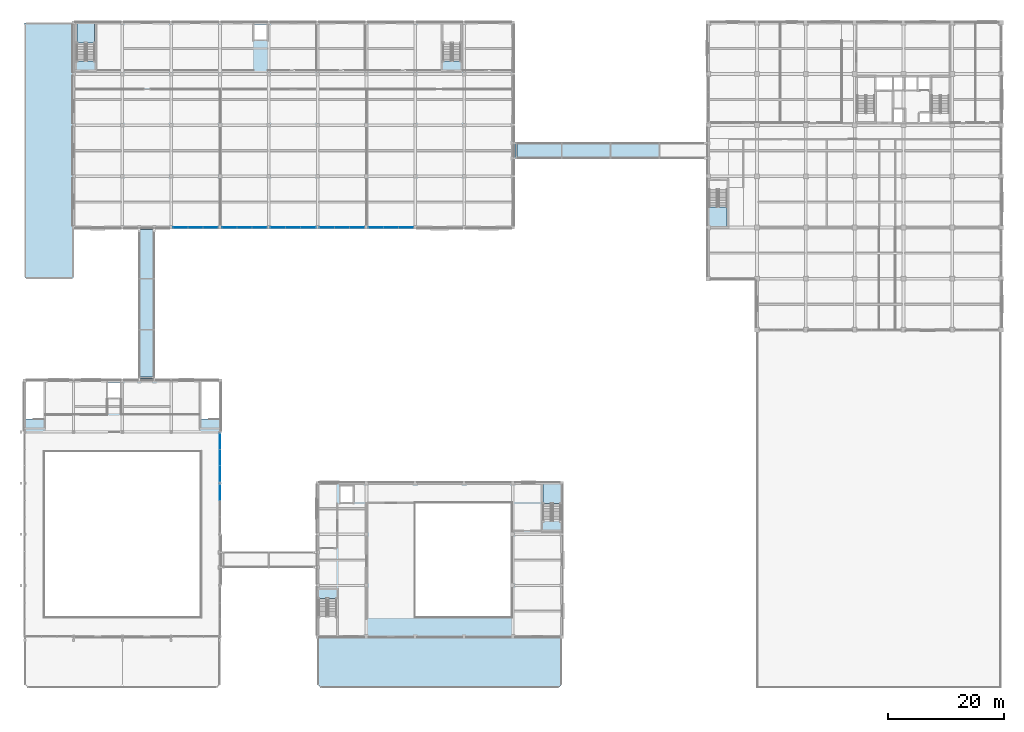
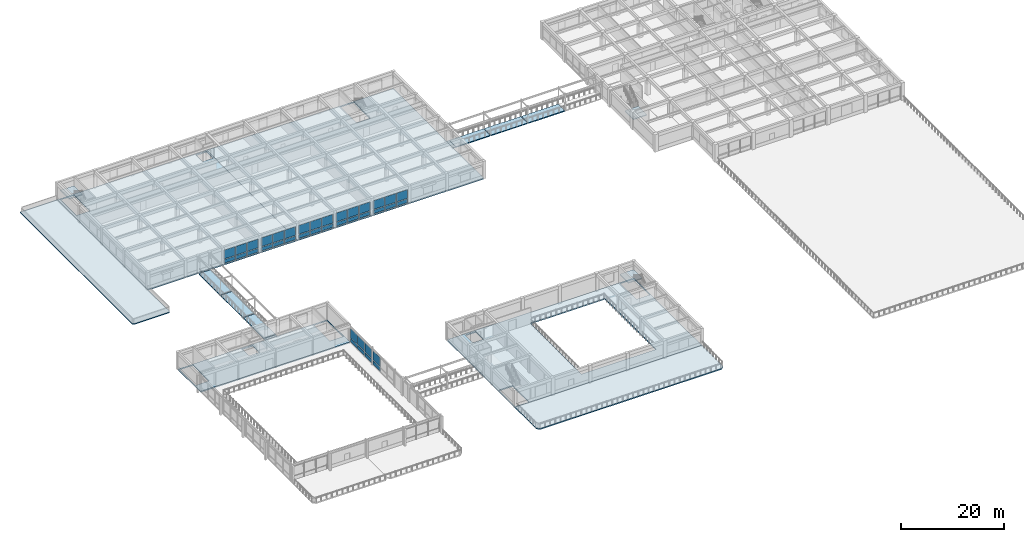
# One storey, part 30 of 57: 38 plates, 17 slabs, 10 elements without a shape of their own.
"""IFC4 building model written with IfcOpenShell, lengths in metres."""

from ifc_helpers import new_model, si_unit, direction, frame, origin, origin_2d, place, context, subcontext, project, spatial, polyline, rectangle, outline, extrude, material, layer, layer_set, type_object, element, aggregate, save


model = new_model("IFC4")

# Units and contexts
model_context = context("Model", 3, precision=1e-05, world=origin(), true_north=direction((0.0, 1.0)))
body_context = subcontext(model_context, "Body", "Model", "MODEL_VIEW")
ifc_project = project(units=[si_unit("LENGTHUNIT", "METRE"), si_unit("AREAUNIT", "SQUARE_METRE"), si_unit("VOLUMEUNIT", "CUBIC_METRE"), si_unit("PLANEANGLEUNIT", "RADIAN"), si_unit("MASSUNIT", "GRAM", prefix="KILO")], contexts=[model_context])

# Site, building, storey
site_placement = place(None, origin())
site = spatial("IfcSite", under=ifc_project, at=site_placement, CompositionType="ELEMENT")
building_placement = place(site_placement, origin())
building = spatial("IfcBuilding", under=site, at=building_placement, Name="Kemercrest Conservatory and Botanical Centre", CompositionType="ELEMENT")
storey_placement = place(building_placement, frame((0.0, 0.0, 4.800048828125)))
storey = spatial("IfcBuildingStorey", under=building, at=storey_placement, Name="L01", CompositionType="ELEMENT", Elevation=4.800048828125)

# Curtain wall, plates
ifc_material_1 = material(Name="Thermally broken aluminium and triple low-e glazing", Category="aluminium")
curtain_wall_type_1 = type_object("IfcCurtainWallType", Name="CW-03", PredefinedType="USERDEFINED", material=ifc_material_1)
curtain_wall_1_placement = place(storey_placement, origin())
curtain_wall_1 = element("IfcCurtainWall", 1, at=curtain_wall_1_placement, inside=storey, type_object=curtain_wall_type_1, Name="Unitised curtain wall CW-03 (CW:L01:V3-032)", ObjectType="UNITISED CURTAIN WALL", PredefinedType="USERDEFINED")
ifc_material_2 = material(Name="Triple low-e argon insulated glazing unit", Category="glass")
ifc_layer_1 = layer(ifc_material_2, 0.035888671875)
ifc_layer_set_1 = layer_set([ifc_layer_1], Name="Triple low-e argon insulated glazing unit")
plate_type_1 = type_object("IfcPlateType", Name="CW-PNL036", PredefinedType="CURTAIN_PANEL", material=ifc_layer_set_1)
plate_1_placement = place(storey_placement, frame((34.81298828125, 87.199951171875, 0.179931640625), z_axis=(0.0, 0.0, 1.0), x_axis=(1.0, 0.0, 0.0)))
plate_1 = element("IfcPlate", 2, at=plate_1_placement, type_object=plate_type_1, Name="CW-03 panel 1.1", PredefinedType="CURTAIN_PANEL", context=body_context, shape_type="SweptSolid", body=[
    extrude(rectangle(XDim=2.505859375, YDim=0.035888671875, at=origin_2d()), origin(), (0.0, 0.0, 1.0), 0.85009765625),
])
plate_2_placement = place(storey_placement, frame((34.81298828125, 87.199951171875, 1.2099609375), z_axis=(0.0, 0.0, 1.0), x_axis=(1.0, 0.0, 0.0)))
plate_2 = element("IfcPlate", 3, at=plate_2_placement, type_object=plate_type_1, Name="CW-03 panel 1.2", PredefinedType="CURTAIN_PANEL", context=body_context, shape_type="SweptSolid", body=[
    extrude(rectangle(XDim=2.505859375, YDim=0.035888671875, at=origin_2d()), origin(), (0.0, 0.0, 1.0), 2.06494140625),
])
plate_3_placement = place(storey_placement, frame((37.39990234375, 87.199951171875, 0.179931640625), z_axis=(0.0, 0.0, 1.0), x_axis=(1.0, 0.0, 0.0)))
plate_3 = element("IfcPlate", 4, at=plate_3_placement, type_object=plate_type_1, Name="CW-03 panel 2.1", PredefinedType="CURTAIN_PANEL", context=body_context, shape_type="SweptSolid", body=[
    extrude(rectangle(XDim=2.538330078125, YDim=0.035888671875, at=origin_2d()), origin(), (0.0, 0.0, 1.0), 0.85009765625),
])
plate_4_placement = place(storey_placement, frame((37.39990234375, 87.199951171875, 1.2099609375), z_axis=(0.0, 0.0, 1.0), x_axis=(1.0, 0.0, 0.0)))
plate_4 = element("IfcPlate", 5, at=plate_4_placement, type_object=plate_type_1, Name="CW-03 panel 2.2", PredefinedType="CURTAIN_PANEL", context=body_context, shape_type="SweptSolid", body=[
    extrude(rectangle(XDim=2.538330078125, YDim=0.035888671875, at=origin_2d()), origin(), (0.0, 0.0, 1.0), 2.06494140625),
])
plate_5_placement = place(storey_placement, frame((39.987060546875, 87.199951171875, 0.179931640625), z_axis=(0.0, 0.0, 1.0), x_axis=(1.0, 0.0, 0.0)))
plate_5 = element("IfcPlate", 6, at=plate_5_placement, type_object=plate_type_1, Name="CW-03 panel 3.1", PredefinedType="CURTAIN_PANEL", context=body_context, shape_type="SweptSolid", body=[
    extrude(rectangle(XDim=2.505859375, YDim=0.035888671875, at=origin_2d()), origin(), (0.0, 0.0, 1.0), 0.85009765625),
])
plate_6_placement = place(storey_placement, frame((39.987060546875, 87.199951171875, 1.2099609375), z_axis=(0.0, 0.0, 1.0), x_axis=(1.0, 0.0, 0.0)))
plate_6 = element("IfcPlate", 7, at=plate_6_placement, type_object=plate_type_1, Name="CW-03 panel 3.2", PredefinedType="CURTAIN_PANEL", context=body_context, shape_type="SweptSolid", body=[
    extrude(rectangle(XDim=2.505859375, YDim=0.035888671875, at=origin_2d()), origin(), (0.0, 0.0, 1.0), 2.06494140625),
])
aggregate(curtain_wall_1, [plate_1, plate_2, plate_3, plate_4, plate_5, plate_6])

curtain_wall_type_2 = type_object("IfcCurtainWallType", Name="CW-04", PredefinedType="USERDEFINED", material=ifc_material_1)
curtain_wall_2_placement = place(storey_placement, origin())
curtain_wall_2 = element("IfcCurtainWall", 8, at=curtain_wall_2_placement, inside=storey, type_object=curtain_wall_type_2, Name="Unitised curtain wall CW-04 (CW:L01:V3-033)", ObjectType="UNITISED CURTAIN WALL", PredefinedType="USERDEFINED")
plate_7_placement = place(storey_placement, frame((43.212890625, 87.199951171875, 0.179931640625), z_axis=(0.0, 0.0, 1.0), x_axis=(1.0, 0.0, 0.0)))
plate_7 = element("IfcPlate", 9, at=plate_7_placement, type_object=plate_type_1, Name="CW-04 panel 1.1", PredefinedType="CURTAIN_PANEL", context=body_context, shape_type="SweptSolid", body=[
    extrude(rectangle(XDim=2.505859375, YDim=0.035888671875, at=origin_2d()), origin(), (0.0, 0.0, 1.0), 0.85009765625),
])
plate_8_placement = place(storey_placement, frame((43.212890625, 87.199951171875, 1.2099609375), z_axis=(0.0, 0.0, 1.0), x_axis=(1.0, 0.0, 0.0)))
plate_8 = element("IfcPlate", 10, at=plate_8_placement, type_object=plate_type_1, Name="CW-04 panel 1.2", PredefinedType="CURTAIN_PANEL", context=body_context, shape_type="SweptSolid", body=[
    extrude(rectangle(XDim=2.505859375, YDim=0.035888671875, at=origin_2d()), origin(), (0.0, 0.0, 1.0), 2.06494140625),
])
plate_9_placement = place(storey_placement, frame((45.800048828125, 87.199951171875, 0.179931640625), z_axis=(0.0, 0.0, 1.0), x_axis=(1.0, 0.0, 0.0)))
plate_9 = element("IfcPlate", 11, at=plate_9_placement, type_object=plate_type_1, Name="CW-04 panel 2.1", PredefinedType="CURTAIN_PANEL", context=body_context, shape_type="SweptSolid", body=[
    extrude(rectangle(XDim=2.538330078125, YDim=0.035888671875, at=origin_2d()), origin(), (0.0, 0.0, 1.0), 0.85009765625),
])
plate_10_placement = place(storey_placement, frame((45.800048828125, 87.199951171875, 1.2099609375), z_axis=(0.0, 0.0, 1.0), x_axis=(1.0, 0.0, 0.0)))
plate_10 = element("IfcPlate", 12, at=plate_10_placement, type_object=plate_type_1, Name="CW-04 panel 2.2", PredefinedType="CURTAIN_PANEL", context=body_context, shape_type="SweptSolid", body=[
    extrude(rectangle(XDim=2.538330078125, YDim=0.035888671875, at=origin_2d()), origin(), (0.0, 0.0, 1.0), 2.06494140625),
])
plate_11_placement = place(storey_placement, frame((48.386962890625, 87.199951171875, 0.179931640625), z_axis=(0.0, 0.0, 1.0), x_axis=(1.0, 0.0, 0.0)))
plate_11 = element("IfcPlate", 13, at=plate_11_placement, type_object=plate_type_1, Name="CW-04 panel 3.1", PredefinedType="CURTAIN_PANEL", context=body_context, shape_type="SweptSolid", body=[
    extrude(rectangle(XDim=2.505859375, YDim=0.035888671875, at=origin_2d()), origin(), (0.0, 0.0, 1.0), 0.85009765625),
])
plate_12_placement = place(storey_placement, frame((48.386962890625, 87.199951171875, 1.2099609375), z_axis=(0.0, 0.0, 1.0), x_axis=(1.0, 0.0, 0.0)))
plate_12 = element("IfcPlate", 14, at=plate_12_placement, type_object=plate_type_1, Name="CW-04 panel 3.2", PredefinedType="CURTAIN_PANEL", context=body_context, shape_type="SweptSolid", body=[
    extrude(rectangle(XDim=2.505859375, YDim=0.035888671875, at=origin_2d()), origin(), (0.0, 0.0, 1.0), 2.06494140625),
])
aggregate(curtain_wall_2, [plate_7, plate_8, plate_9, plate_10, plate_11, plate_12])

curtain_wall_type_3 = type_object("IfcCurtainWallType", Name="CW-05", PredefinedType="USERDEFINED", material=ifc_material_1)
curtain_wall_3_placement = place(storey_placement, origin())
curtain_wall_3 = element("IfcCurtainWall", 15, at=curtain_wall_3_placement, inside=storey, type_object=curtain_wall_type_3, Name="Unitised curtain wall CW-05 (CW:L01:V3-034)", ObjectType="UNITISED CURTAIN WALL", PredefinedType="USERDEFINED")
plate_13_placement = place(storey_placement, frame((51.613037109375, 87.199951171875, 0.179931640625), z_axis=(0.0, 0.0, 1.0), x_axis=(1.0, 0.0, 0.0)))
plate_13 = element("IfcPlate", 16, at=plate_13_placement, type_object=plate_type_1, Name="CW-05 panel 1.1", PredefinedType="CURTAIN_PANEL", context=body_context, shape_type="SweptSolid", body=[
    extrude(rectangle(XDim=2.505859375, YDim=0.035888671875, at=origin_2d()), origin(), (0.0, 0.0, 1.0), 0.85009765625),
])
plate_14_placement = place(storey_placement, frame((51.613037109375, 87.199951171875, 1.2099609375), z_axis=(0.0, 0.0, 1.0), x_axis=(1.0, 0.0, 0.0)))
plate_14 = element("IfcPlate", 17, at=plate_14_placement, type_object=plate_type_1, Name="CW-05 panel 1.2", PredefinedType="CURTAIN_PANEL", context=body_context, shape_type="SweptSolid", body=[
    extrude(rectangle(XDim=2.505859375, YDim=0.035888671875, at=origin_2d()), origin(), (0.0, 0.0, 1.0), 2.06494140625),
])
plate_15_placement = place(storey_placement, frame((54.199951171875, 87.199951171875, 0.179931640625), z_axis=(0.0, 0.0, 1.0), x_axis=(1.0, 0.0, 0.0)))
plate_15 = element("IfcPlate", 18, at=plate_15_placement, type_object=plate_type_1, Name="CW-05 panel 2.1", PredefinedType="CURTAIN_PANEL", context=body_context, shape_type="SweptSolid", body=[
    extrude(rectangle(XDim=2.538330078125, YDim=0.035888671875, at=origin_2d()), origin(), (0.0, 0.0, 1.0), 0.85009765625),
])
plate_16_placement = place(storey_placement, frame((54.199951171875, 87.199951171875, 1.2099609375), z_axis=(0.0, 0.0, 1.0), x_axis=(1.0, 0.0, 0.0)))
plate_16 = element("IfcPlate", 19, at=plate_16_placement, type_object=plate_type_1, Name="CW-05 panel 2.2", PredefinedType="CURTAIN_PANEL", context=body_context, shape_type="SweptSolid", body=[
    extrude(rectangle(XDim=2.538330078125, YDim=0.035888671875, at=origin_2d()), origin(), (0.0, 0.0, 1.0), 2.06494140625),
])
plate_17_placement = place(storey_placement, frame((56.787109375, 87.199951171875, 0.179931640625), z_axis=(0.0, 0.0, 1.0), x_axis=(1.0, 0.0, 0.0)))
plate_17 = element("IfcPlate", 20, at=plate_17_placement, type_object=plate_type_1, Name="CW-05 panel 3.1", PredefinedType="CURTAIN_PANEL", context=body_context, shape_type="SweptSolid", body=[
    extrude(rectangle(XDim=2.505859375, YDim=0.035888671875, at=origin_2d()), origin(), (0.0, 0.0, 1.0), 0.85009765625),
])
plate_18_placement = place(storey_placement, frame((56.787109375, 87.199951171875, 1.2099609375), z_axis=(0.0, 0.0, 1.0), x_axis=(1.0, 0.0, 0.0)))
plate_18 = element("IfcPlate", 21, at=plate_18_placement, type_object=plate_type_1, Name="CW-05 panel 3.2", PredefinedType="CURTAIN_PANEL", context=body_context, shape_type="SweptSolid", body=[
    extrude(rectangle(XDim=2.505859375, YDim=0.035888671875, at=origin_2d()), origin(), (0.0, 0.0, 1.0), 2.06494140625),
])
aggregate(curtain_wall_3, [plate_13, plate_14, plate_15, plate_16, plate_17, plate_18])

curtain_wall_type_4 = type_object("IfcCurtainWallType", Name="CW-06", PredefinedType="USERDEFINED", material=ifc_material_1)
curtain_wall_4_placement = place(storey_placement, origin())
curtain_wall_4 = element("IfcCurtainWall", 22, at=curtain_wall_4_placement, inside=storey, type_object=curtain_wall_type_4, Name="Unitised curtain wall CW-06 (CW:L01:V3-035)", ObjectType="UNITISED CURTAIN WALL", PredefinedType="USERDEFINED")
plate_19_placement = place(storey_placement, frame((60.012939453125, 87.199951171875, 0.179931640625), z_axis=(0.0, 0.0, 1.0), x_axis=(1.0, 0.0, 0.0)))
plate_19 = element("IfcPlate", 23, at=plate_19_placement, type_object=plate_type_1, Name="CW-06 panel 1.1", PredefinedType="CURTAIN_PANEL", context=body_context, shape_type="SweptSolid", body=[
    extrude(rectangle(XDim=2.505859375, YDim=0.035888671875, at=origin_2d()), origin(), (0.0, 0.0, 1.0), 0.85009765625),
])
plate_20_placement = place(storey_placement, frame((60.012939453125, 87.199951171875, 1.2099609375), z_axis=(0.0, 0.0, 1.0), x_axis=(1.0, 0.0, 0.0)))
plate_20 = element("IfcPlate", 24, at=plate_20_placement, type_object=plate_type_1, Name="CW-06 panel 1.2", PredefinedType="CURTAIN_PANEL", context=body_context, shape_type="SweptSolid", body=[
    extrude(rectangle(XDim=2.505859375, YDim=0.035888671875, at=origin_2d()), origin(), (0.0, 0.0, 1.0), 2.06494140625),
])
plate_21_placement = place(storey_placement, frame((62.60009765625, 87.199951171875, 0.179931640625), z_axis=(0.0, 0.0, 1.0), x_axis=(1.0, 0.0, 0.0)))
plate_21 = element("IfcPlate", 25, at=plate_21_placement, type_object=plate_type_1, Name="CW-06 panel 2.1", PredefinedType="CURTAIN_PANEL", context=body_context, shape_type="SweptSolid", body=[
    extrude(rectangle(XDim=2.538330078125, YDim=0.035888671875, at=origin_2d()), origin(), (0.0, 0.0, 1.0), 0.85009765625),
])
plate_22_placement = place(storey_placement, frame((62.60009765625, 87.199951171875, 1.2099609375), z_axis=(0.0, 0.0, 1.0), x_axis=(1.0, 0.0, 0.0)))
plate_22 = element("IfcPlate", 26, at=plate_22_placement, type_object=plate_type_1, Name="CW-06 panel 2.2", PredefinedType="CURTAIN_PANEL", context=body_context, shape_type="SweptSolid", body=[
    extrude(rectangle(XDim=2.538330078125, YDim=0.035888671875, at=origin_2d()), origin(), (0.0, 0.0, 1.0), 2.06494140625),
])
plate_23_placement = place(storey_placement, frame((65.18701171875, 87.199951171875, 0.179931640625), z_axis=(0.0, 0.0, 1.0), x_axis=(1.0, 0.0, 0.0)))
plate_23 = element("IfcPlate", 27, at=plate_23_placement, type_object=plate_type_1, Name="CW-06 panel 3.1", PredefinedType="CURTAIN_PANEL", context=body_context, shape_type="SweptSolid", body=[
    extrude(rectangle(XDim=2.505859375, YDim=0.035888671875, at=origin_2d()), origin(), (0.0, 0.0, 1.0), 0.85009765625),
])
plate_24_placement = place(storey_placement, frame((65.18701171875, 87.199951171875, 1.2099609375), z_axis=(0.0, 0.0, 1.0), x_axis=(1.0, 0.0, 0.0)))
plate_24 = element("IfcPlate", 28, at=plate_24_placement, type_object=plate_type_1, Name="CW-06 panel 3.2", PredefinedType="CURTAIN_PANEL", context=body_context, shape_type="SweptSolid", body=[
    extrude(rectangle(XDim=2.505859375, YDim=0.035888671875, at=origin_2d()), origin(), (0.0, 0.0, 1.0), 2.06494140625),
])
aggregate(curtain_wall_4, [plate_19, plate_20, plate_21, plate_22, plate_23, plate_24])

curtain_wall_type_5 = type_object("IfcCurtainWallType", Name="CW-07", PredefinedType="USERDEFINED", material=ifc_material_1)
curtain_wall_5_placement = place(storey_placement, origin())
curtain_wall_5 = element("IfcCurtainWall", 29, at=curtain_wall_5_placement, inside=storey, type_object=curtain_wall_type_5, Name="Unitised curtain wall CW-07 (CW:L01:V3-036)", ObjectType="UNITISED CURTAIN WALL", PredefinedType="USERDEFINED")
plate_25_placement = place(storey_placement, frame((68.412841796875, 87.199951171875, 0.179931640625), z_axis=(0.0, 0.0, 1.0), x_axis=(1.0, 0.0, 0.0)))
plate_25 = element("IfcPlate", 30, at=plate_25_placement, type_object=plate_type_1, Name="CW-07 panel 1.1", PredefinedType="CURTAIN_PANEL", context=body_context, shape_type="SweptSolid", body=[
    extrude(rectangle(XDim=2.505859375, YDim=0.035888671875, at=origin_2d()), origin(), (0.0, 0.0, 1.0), 0.85009765625),
])
plate_26_placement = place(storey_placement, frame((68.412841796875, 87.199951171875, 1.2099609375), z_axis=(0.0, 0.0, 1.0), x_axis=(1.0, 0.0, 0.0)))
plate_26 = element("IfcPlate", 31, at=plate_26_placement, type_object=plate_type_1, Name="CW-07 panel 1.2", PredefinedType="CURTAIN_PANEL", context=body_context, shape_type="SweptSolid", body=[
    extrude(rectangle(XDim=2.505859375, YDim=0.035888671875, at=origin_2d()), origin(), (0.0, 0.0, 1.0), 2.06494140625),
])
plate_27_placement = place(storey_placement, frame((71.0, 87.199951171875, 0.179931640625), z_axis=(0.0, 0.0, 1.0), x_axis=(1.0, 0.0, 0.0)))
plate_27 = element("IfcPlate", 32, at=plate_27_placement, type_object=plate_type_1, Name="CW-07 panel 2.1", PredefinedType="CURTAIN_PANEL", context=body_context, shape_type="SweptSolid", body=[
    extrude(rectangle(XDim=2.538330078125, YDim=0.035888671875, at=origin_2d()), origin(), (0.0, 0.0, 1.0), 0.85009765625),
])
plate_28_placement = place(storey_placement, frame((71.0, 87.199951171875, 1.2099609375), z_axis=(0.0, 0.0, 1.0), x_axis=(1.0, 0.0, 0.0)))
plate_28 = element("IfcPlate", 33, at=plate_28_placement, type_object=plate_type_1, Name="CW-07 panel 2.2", PredefinedType="CURTAIN_PANEL", context=body_context, shape_type="SweptSolid", body=[
    extrude(rectangle(XDim=2.538330078125, YDim=0.035888671875, at=origin_2d()), origin(), (0.0, 0.0, 1.0), 2.06494140625),
])
plate_29_placement = place(storey_placement, frame((73.587158203125, 87.199951171875, 0.179931640625), z_axis=(0.0, 0.0, 1.0), x_axis=(1.0, 0.0, 0.0)))
plate_29 = element("IfcPlate", 34, at=plate_29_placement, type_object=plate_type_1, Name="CW-07 panel 3.1", PredefinedType="CURTAIN_PANEL", context=body_context, shape_type="SweptSolid", body=[
    extrude(rectangle(XDim=2.505859375, YDim=0.035888671875, at=origin_2d()), origin(), (0.0, 0.0, 1.0), 0.85009765625),
])
plate_30_placement = place(storey_placement, frame((73.587158203125, 87.199951171875, 1.2099609375), z_axis=(0.0, 0.0, 1.0), x_axis=(1.0, 0.0, 0.0)))
plate_30 = element("IfcPlate", 35, at=plate_30_placement, type_object=plate_type_1, Name="CW-07 panel 3.2", PredefinedType="CURTAIN_PANEL", context=body_context, shape_type="SweptSolid", body=[
    extrude(rectangle(XDim=2.505859375, YDim=0.035888671875, at=origin_2d()), origin(), (0.0, 0.0, 1.0), 2.06494140625),
])
aggregate(curtain_wall_5, [plate_25, plate_26, plate_27, plate_28, plate_29, plate_30])

curtain_wall_type_6 = type_object("IfcCurtainWallType", Name="CW-12", PredefinedType="USERDEFINED", material=ifc_material_1)
curtain_wall_6_placement = place(storey_placement, origin())
curtain_wall_6 = element("IfcCurtainWall", 36, at=curtain_wall_6_placement, inside=storey, type_object=curtain_wall_type_6, Name="Unitised curtain wall CW-12 (CW:L01:V1-011)", ObjectType="UNITISED CURTAIN WALL", PredefinedType="USERDEFINED")
ifc_material_3 = material(Name="Laminated solar-control conservatory glazing unit", Category="glass")
ifc_layer_2 = layer(ifc_material_3, 0.0419921875)
ifc_layer_set_2 = layer_set([ifc_layer_2], Name="Laminated solar-control conservatory glazing unit")
plate_type_2 = type_object("IfcPlateType", Name="CW-PNL042", PredefinedType="CURTAIN_PANEL", material=ifc_layer_set_2)
plate_31_placement = place(storey_placement, frame((41.60009765625, 41.581298828125, 0.14990234375), z_axis=(0.0, 0.0, 1.0), x_axis=(0.0, 1.0, 0.0)))
plate_31 = element("IfcPlate", 37, at=plate_31_placement, type_object=plate_type_2, Name="CW-12 panel 3.1", PredefinedType="CURTAIN_PANEL", context=body_context, shape_type="SweptSolid", body=[
    extrude(rectangle(XDim=2.6875, YDim=0.0419921875, at=origin_2d()), origin(), (0.0, 0.0, 1.0), 0.89501953125),
])
plate_32_placement = place(storey_placement, frame((41.60009765625, 41.581298828125, 1.195068359375), z_axis=(0.0, 0.0, 1.0), x_axis=(0.0, 1.0, 0.0)))
plate_32 = element("IfcPlate", 38, at=plate_32_placement, type_object=plate_type_2, Name="CW-12 panel 3.2", PredefinedType="CURTAIN_PANEL", context=body_context, shape_type="SweptSolid", body=[
    extrude(rectangle(XDim=2.6875, YDim=0.0419921875, at=origin_2d()), origin(), (0.0, 0.0, 1.0), 2.15087890625),
])
aggregate(curtain_wall_6, [plate_31, plate_32])

curtain_wall_type_7 = type_object("IfcCurtainWallType", Name="CW-13", PredefinedType="USERDEFINED", material=ifc_material_1)
curtain_wall_7_placement = place(storey_placement, origin())
curtain_wall_7 = element("IfcCurtainWall", 39, at=curtain_wall_7_placement, inside=storey, type_object=curtain_wall_type_7, Name="Unitised curtain wall CW-13 (CW:L01:V1-012)", ObjectType="UNITISED CURTAIN WALL", PredefinedType="USERDEFINED")
plate_33_placement = place(storey_placement, frame((41.60009765625, 44.81884765625, 0.14990234375), z_axis=(0.0, 0.0, 1.0), x_axis=(0.0, 1.0, 0.0)))
plate_33 = element("IfcPlate", 40, at=plate_33_placement, type_object=plate_type_2, Name="CW-13 panel 1.1", PredefinedType="CURTAIN_PANEL", context=body_context, shape_type="SweptSolid", body=[
    extrude(rectangle(XDim=2.6875, YDim=0.0419921875, at=origin_2d()), origin(), (0.0, 0.0, 1.0), 0.89501953125),
])
plate_34_placement = place(storey_placement, frame((41.60009765625, 44.81884765625, 1.195068359375), z_axis=(0.0, 0.0, 1.0), x_axis=(0.0, 1.0, 0.0)))
plate_34 = element("IfcPlate", 41, at=plate_34_placement, type_object=plate_type_2, Name="CW-13 panel 1.2", PredefinedType="CURTAIN_PANEL", context=body_context, shape_type="SweptSolid", body=[
    extrude(rectangle(XDim=2.6875, YDim=0.0419921875, at=origin_2d()), origin(), (0.0, 0.0, 1.0), 2.15087890625),
])
plate_35_placement = place(storey_placement, frame((41.60009765625, 47.60009765625, 0.14990234375), z_axis=(0.0, 0.0, 1.0), x_axis=(0.0, 1.0, 0.0)))
plate_35 = element("IfcPlate", 42, at=plate_35_placement, type_object=plate_type_2, Name="CW-13 panel 2.1", PredefinedType="CURTAIN_PANEL", context=body_context, shape_type="SweptSolid", body=[
    extrude(rectangle(XDim=2.72509765625, YDim=0.0419921875, at=origin_2d()), origin(), (0.0, 0.0, 1.0), 0.89501953125),
])
plate_36_placement = place(storey_placement, frame((41.60009765625, 47.60009765625, 1.195068359375), z_axis=(0.0, 0.0, 1.0), x_axis=(0.0, 1.0, 0.0)))
plate_36 = element("IfcPlate", 43, at=plate_36_placement, type_object=plate_type_2, Name="CW-13 panel 2.2", PredefinedType="CURTAIN_PANEL", context=body_context, shape_type="SweptSolid", body=[
    extrude(rectangle(XDim=2.72509765625, YDim=0.0419921875, at=origin_2d()), origin(), (0.0, 0.0, 1.0), 2.15087890625),
])
plate_37_placement = place(storey_placement, frame((41.60009765625, 50.38134765625, 0.14990234375), z_axis=(0.0, 0.0, 1.0), x_axis=(0.0, 1.0, 0.0)))
plate_37 = element("IfcPlate", 44, at=plate_37_placement, type_object=plate_type_2, Name="CW-13 panel 3.1", PredefinedType="CURTAIN_PANEL", context=body_context, shape_type="SweptSolid", body=[
    extrude(rectangle(XDim=2.6875, YDim=0.0419921875, at=origin_2d()), origin(), (0.0, 0.0, 1.0), 0.89501953125),
])
plate_38_placement = place(storey_placement, frame((41.60009765625, 50.38134765625, 1.195068359375), z_axis=(0.0, 0.0, 1.0), x_axis=(0.0, 1.0, 0.0)))
plate_38 = element("IfcPlate", 45, at=plate_38_placement, type_object=plate_type_2, Name="CW-13 panel 3.2", PredefinedType="CURTAIN_PANEL", context=body_context, shape_type="SweptSolid", body=[
    extrude(rectangle(XDim=2.6875, YDim=0.0419921875, at=origin_2d()), origin(), (0.0, 0.0, 1.0), 2.15087890625),
])
aggregate(curtain_wall_7, [plate_33, plate_34, plate_35, plate_36, plate_37, plate_38])

# Slabs
ifc_material_4 = material(Name="Concrete C40/50", Category="concrete")
ifc_layer_3 = layer(ifc_material_4, 0.219970703125)
ifc_layer_set_3 = layer_set([ifc_layer_3], Name="Concrete C40/50")
slab_type_1 = type_object("IfcSlabType", Name="SL-FL220", PredefinedType="FLOOR", material=ifc_layer_set_3)
slab_1_placement = place(storey_placement, frame((0.0, 0.0, -0.219970703125)))
element("IfcSlab", 46, at=slab_1_placement, inside=storey, type_object=slab_type_1, Name="West Botanical Court Covered Passage SJ-2 L01 span 1 slab", PredefinedType="FLOOR", context=body_context, shape_type="SweptSolid", body=[
    extrude(outline(polyline([(27.699951171875, 60.800048828125), (30.300048828125, 60.800048828125), (30.300048828125, 61.340087890625), (27.699951171875, 61.340087890625), (27.699951171875, 60.800048828125)])), origin(), (0.0, 0.0, 1.0), 0.219970703125),
])
slab_2_placement = place(storey_placement, frame((0.0, 0.0, -0.219970703125)))
element("IfcSlab", 47, at=slab_2_placement, inside=storey, type_object=slab_type_1, Name="West Botanical Court Covered Passage SJ-2 L01 span 2 slab", PredefinedType="FLOOR", context=body_context, shape_type="SweptSolid", body=[
    extrude(outline(polyline([(27.699951171875, 61.4599609375), (30.300048828125, 61.4599609375), (30.300048828125, 69.5400390625), (27.699951171875, 69.5400390625), (27.699951171875, 61.4599609375)])), origin(), (0.0, 0.0, 1.0), 0.219970703125),
])
slab_3_placement = place(storey_placement, frame((0.0, 0.0, -0.219970703125)))
element("IfcSlab", 48, at=slab_3_placement, inside=storey, type_object=slab_type_1, Name="West Botanical Court Covered Passage SJ-2 L01 span 3 slab", PredefinedType="FLOOR", context=body_context, shape_type="SweptSolid", body=[
    extrude(outline(polyline([(27.699951171875, 69.659912109375), (30.300048828125, 69.659912109375), (30.300048828125, 78.340087890625), (27.699951171875, 78.340087890625), (27.699951171875, 69.659912109375)])), origin(), (0.0, 0.0, 1.0), 0.219970703125),
])
slab_4_placement = place(storey_placement, frame((0.0, 0.0, -0.219970703125)))
element("IfcSlab", 49, at=slab_4_placement, inside=storey, type_object=slab_type_1, Name="West Botanical Court Covered Passage SJ-2 L01 span 4 slab", PredefinedType="FLOOR", context=body_context, shape_type="SweptSolid", body=[
    extrude(outline(polyline([(27.699951171875, 78.4599609375), (30.300048828125, 78.4599609375), (30.300048828125, 86.85009765625), (27.699951171875, 86.85009765625), (27.699951171875, 78.4599609375)])), origin(), (0.0, 0.0, 1.0), 0.219970703125),
])
slab_5_placement = place(storey_placement, frame((0.0, 0.0, -0.219970703125)))
element("IfcSlab", 50, at=slab_5_placement, inside=storey, type_object=slab_type_1, Name="North Courtyard Covered Passage SJ-3 L01 span 1 slab", PredefinedType="FLOOR", context=body_context, shape_type="SweptSolid", body=[
    extrude(outline(polyline([(92.0, 99.10009765625), (92.5400390625, 99.10009765625), (92.5400390625, 101.699951171875), (92.0, 101.699951171875), (92.0, 99.10009765625)])), origin(), (0.0, 0.0, 1.0), 0.219970703125),
])
slab_6_placement = place(storey_placement, frame((0.0, 0.0, -0.219970703125)))
element("IfcSlab", 51, at=slab_6_placement, inside=storey, type_object=slab_type_1, Name="North Courtyard Covered Passage SJ-3 L01 span 2 slab", PredefinedType="FLOOR", context=body_context, shape_type="SweptSolid", body=[
    extrude(outline(polyline([(92.659912109375, 99.10009765625), (100.340087890625, 99.10009765625), (100.340087890625, 101.699951171875), (92.659912109375, 101.699951171875), (92.659912109375, 99.10009765625)])), origin(), (0.0, 0.0, 1.0), 0.219970703125),
])
slab_7_placement = place(storey_placement, frame((0.0, 0.0, -0.219970703125)))
element("IfcSlab", 52, at=slab_7_placement, inside=storey, type_object=slab_type_1, Name="North Courtyard Covered Passage SJ-3 L01 span 3 slab", PredefinedType="FLOOR", context=body_context, shape_type="SweptSolid", body=[
    extrude(outline(polyline([(100.4599609375, 99.10009765625), (108.739990234375, 99.10009765625), (108.739990234375, 101.699951171875), (100.4599609375, 101.699951171875), (100.4599609375, 99.10009765625)])), origin(), (0.0, 0.0, 1.0), 0.219970703125),
])
slab_8_placement = place(storey_placement, frame((0.0, 0.0, -0.219970703125)))
element("IfcSlab", 53, at=slab_8_placement, inside=storey, type_object=slab_type_1, Name="North Courtyard Covered Passage SJ-3 L01 span 4 slab", PredefinedType="FLOOR", context=body_context, shape_type="SweptSolid", body=[
    extrude(outline(polyline([(108.860107421875, 99.10009765625), (117.139892578125, 99.10009765625), (117.139892578125, 101.699951171875), (108.860107421875, 101.699951171875), (108.860107421875, 99.10009765625)])), origin(), (0.0, 0.0, 1.0), 0.219970703125),
])
ifc_layer_4 = layer(ifc_material_4, 0.280029296875)
ifc_layer_set_4 = layer_set([ifc_layer_4], Name="Concrete C40/50")
slab_type_2 = type_object("IfcSlabType", Name="SL-FL280", PredefinedType="FLOOR", material=ifc_layer_set_4)
slab_9_placement = place(storey_placement, frame((0.0, 0.0, -0.280029296875)))
element("IfcSlab", 54, at=slab_9_placement, inside=storey, type_object=slab_type_2, Name="V1 North Support Bar L01 Slab", PredefinedType="FLOOR", context=body_context, shape_type="SweptSolid", body=[
    extrude(outline(polyline([(8.0, 60.800048828125), (8.0, 52.0), (41.60009765625, 52.0), (41.60009765625, 60.800048828125), (8.0, 60.800048828125)]), holes=[polyline([(41.43994140625, 60.659912109375), (41.43994140625, 54.264892578125), (38.360107421875, 54.264892578125), (38.360107421875, 60.659912109375), (41.43994140625, 60.659912109375)]), polyline([(24.60009765625, 57.800048828125), (22.199951171875, 57.800048828125), (22.199951171875, 60.5), (24.60009765625, 60.5), (24.60009765625, 57.800048828125)]), polyline([(8.159912109375, 54.264892578125), (8.159912109375, 60.659912109375), (11.239990234375, 60.659912109375), (11.239990234375, 54.264892578125), (8.159912109375, 54.264892578125)])]), origin(), (0.0, 0.0, 1.0), 0.280029296875),
])
slab_10_placement = place(storey_placement, frame((0.0, 0.0, -0.280029296875)))
element("IfcSlab", 55, at=slab_10_placement, inside=storey, type_object=slab_type_2, Name="V2 Auditorium L01 Balcony and Foyer Slab", PredefinedType="FLOOR", context=body_context, shape_type="SweptSolid", body=[
    extrude(outline(polyline([(58.39990234375, 43.199951171875), (58.39990234375, 16.800048828125), (100.39990234375, 16.800048828125), (100.39990234375, 43.199951171875), (58.39990234375, 43.199951171875)]), holes=[polyline([(100.239990234375, 43.06005859375), (100.239990234375, 36.6650390625), (97.159912109375, 36.6650390625), (97.159912109375, 43.06005859375), (100.239990234375, 43.06005859375)]), polyline([(92.0, 20.0), (75.199951171875, 20.0), (75.199951171875, 40.0), (92.0, 40.0), (92.0, 20.0)]), polyline([(64.60009765625, 39.800048828125), (62.199951171875, 39.800048828125), (62.199951171875, 42.800048828125), (64.60009765625, 42.800048828125), (64.60009765625, 39.800048828125)]), polyline([(58.56005859375, 16.93994140625), (58.56005859375, 23.3349609375), (61.639892578125, 23.3349609375), (61.639892578125, 16.93994140625), (58.56005859375, 16.93994140625)])]), origin(), (0.0, 0.0, 1.0), 0.280029296875),
])
slab_11_placement = place(storey_placement, frame((0.0, 0.0, -0.280029296875)))
element("IfcSlab", 56, at=slab_11_placement, inside=storey, type_object=slab_type_2, Name="V3 Visitor and Education Centre L01 W Floor Slab", PredefinedType="FLOOR", context=body_context, shape_type="SweptSolid", body=[
    extrude(outline(polyline([(16.39990234375, 122.39990234375), (16.39990234375, 87.199951171875), (50.0, 87.199951171875), (50.0, 122.39990234375), (16.39990234375, 122.39990234375)]), holes=[polyline([(47.39990234375, 122.10009765625), (49.800048828125, 122.10009765625), (49.800048828125, 119.39990234375), (47.39990234375, 119.39990234375), (47.39990234375, 122.10009765625)]), polyline([(16.9599609375, 115.864990234375), (16.9599609375, 122.260009765625), (20.0400390625, 122.260009765625), (20.0400390625, 115.864990234375), (16.9599609375, 115.864990234375)])]), origin(), (0.0, 0.0, 1.0), 0.280029296875),
])
slab_12_placement = place(storey_placement, frame((0.0, 0.0, -0.280029296875)))
element("IfcSlab", 57, at=slab_12_placement, inside=storey, type_object=slab_type_2, Name="V3 Visitor and Education Centre L01 E Floor Slab", PredefinedType="FLOOR", context=body_context, shape_type="SweptSolid", body=[
    extrude(outline(polyline([(50.0, 122.39990234375), (50.0, 87.199951171875), (92.0, 87.199951171875), (92.0, 122.39990234375), (50.0, 122.39990234375)]), holes=[polyline([(83.0400390625, 122.260009765625), (83.0400390625, 115.864990234375), (79.9599609375, 115.864990234375), (79.9599609375, 122.260009765625), (83.0400390625, 122.260009765625)])]), origin(), (0.0, 0.0, 1.0), 0.280029296875),
])

# Stair, slab
stair_type = type_object("IfcStairType", Name="ST-140-42", PredefinedType="HALF_TURN_STAIR", material=ifc_material_4)
stair_1_placement = place(storey_placement, origin())
stair_1 = element("IfcStair", 58, at=stair_1_placement, inside=storey, type_object=stair_type, Name="L01 Exit stair ST-V2B", PredefinedType="HALF_TURN_STAIR")
ifc_layer_5 = layer(ifc_material_4, 0.199951171875)
ifc_layer_set_5 = layer_set([ifc_layer_5], Name="Concrete C40/50")
slab_type_3 = type_object("IfcSlabType", Name="SL-LND200", PredefinedType="LANDING", material=ifc_layer_set_5)
slab_13_placement = place(storey_placement, frame((0.0, 0.0, 1.89990234375)))
slab_13 = element("IfcSlab", 59, at=slab_13_placement, type_object=slab_type_3, Name="ST-V2B landing 1", PredefinedType="LANDING", context=body_context, shape_type="SweptSolid", body=[
    extrude(outline(polyline([(100.239990234375, 39.719970703125), (100.239990234375, 43.06005859375), (97.159912109375, 43.06005859375), (97.159912109375, 39.719970703125), (100.239990234375, 39.719970703125)])), origin(), (0.0, 0.0, 1.0), 0.199951171875),
])
aggregate(stair_1, [slab_13])

stair_2_placement = place(storey_placement, origin())
stair_2 = element("IfcStair", 60, at=stair_2_placement, inside=storey, type_object=stair_type, Name="L01 Exit stair ST-V3A", PredefinedType="HALF_TURN_STAIR")
slab_14_placement = place(storey_placement, frame((0.0, 0.0, 1.89990234375)))
slab_14 = element("IfcSlab", 61, at=slab_14_placement, type_object=slab_type_3, Name="ST-V3A landing 1", PredefinedType="LANDING", context=body_context, shape_type="SweptSolid", body=[
    extrude(outline(polyline([(20.0400390625, 118.919921875), (20.0400390625, 122.260009765625), (16.9599609375, 122.260009765625), (16.9599609375, 118.919921875), (20.0400390625, 118.919921875)])), origin(), (0.0, 0.0, 1.0), 0.199951171875),
])
aggregate(stair_2, [slab_14])

stair_3_placement = place(storey_placement, origin())
stair_3 = element("IfcStair", 62, at=stair_3_placement, inside=storey, type_object=stair_type, Name="L01 Exit stair ST-V4C", PredefinedType="HALF_TURN_STAIR")
slab_15_placement = place(storey_placement, frame((0.0, 0.0, 1.89990234375)))
slab_15 = element("IfcSlab", 63, at=slab_15_placement, type_object=slab_type_3, Name="ST-V4C landing 1", PredefinedType="LANDING", context=body_context, shape_type="SweptSolid", body=[
    extrude(outline(polyline([(125.760009765625, 90.679931640625), (125.760009765625, 87.340087890625), (128.840087890625, 87.340087890625), (128.840087890625, 90.679931640625), (125.760009765625, 90.679931640625)])), origin(), (0.0, 0.0, 1.0), 0.199951171875),
])
aggregate(stair_3, [slab_15])

# Slabs
ifc_layer_6 = layer(ifc_material_4, 0.22998046875)
ifc_layer_set_6 = layer_set([ifc_layer_6], Name="Concrete C40/50")
slab_type_4 = type_object("IfcSlabType", Name="SL-RF230", PredefinedType="ROOF", material=ifc_layer_set_6)
slab_16_placement = place(storey_placement, frame((0.0, 0.0, -0.22998046875)))
element("IfcSlab", 64, at=slab_16_placement, inside=storey, type_object=slab_type_4, Name="V3 Vehicle Ramp Enclosure Roof Slab", PredefinedType="ROOF", context=body_context, shape_type="SweptSolid", body=[
    extrude(outline(polyline([(8.25, 78.39990234375), (16.14990234375, 78.39990234375), (16.39990234375, 78.64990234375), (16.39990234375, 122.39990234375), (8.0, 122.39990234375), (8.0, 78.64990234375), (8.25, 78.39990234375)])), origin(), (0.0, 0.0, 1.0), 0.22998046875),
])
ifc_layer_7 = layer(ifc_material_4, 0.260009765625)
ifc_layer_set_7 = layer_set([ifc_layer_7], Name="Concrete C40/50")
slab_type_5 = type_object("IfcSlabType", Name="SL-TER260", PredefinedType="ROOF", material=ifc_layer_set_7)
slab_17_placement = place(storey_placement, frame((0.0, 0.0, -0.260009765625)))
element("IfcSlab", 65, at=slab_17_placement, inside=storey, type_object=slab_type_5, Name="V2 Auditorium Harbour Loggia Terrace", PredefinedType="ROOF", context=body_context, shape_type="SweptSolid", body=[
    extrude(outline(polyline([(58.949951171875, 8.0), (99.85009765625, 8.0), (100.39990234375, 8.550048828125), (100.39990234375, 16.800048828125), (58.39990234375, 16.800048828125), (58.39990234375, 8.550048828125), (58.949951171875, 8.0)])), origin(), (0.0, 0.0, 1.0), 0.260009765625),
])

save(model, "model.ifc")
